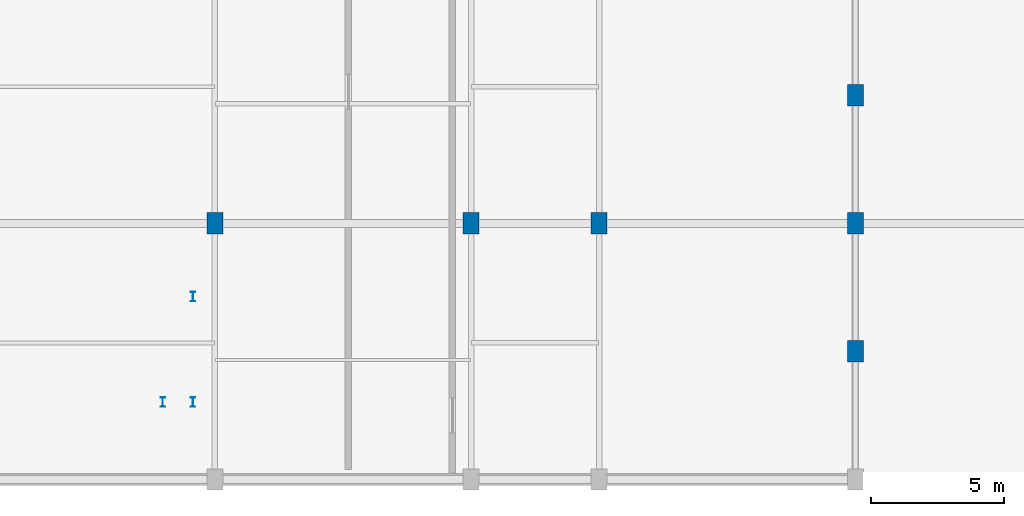
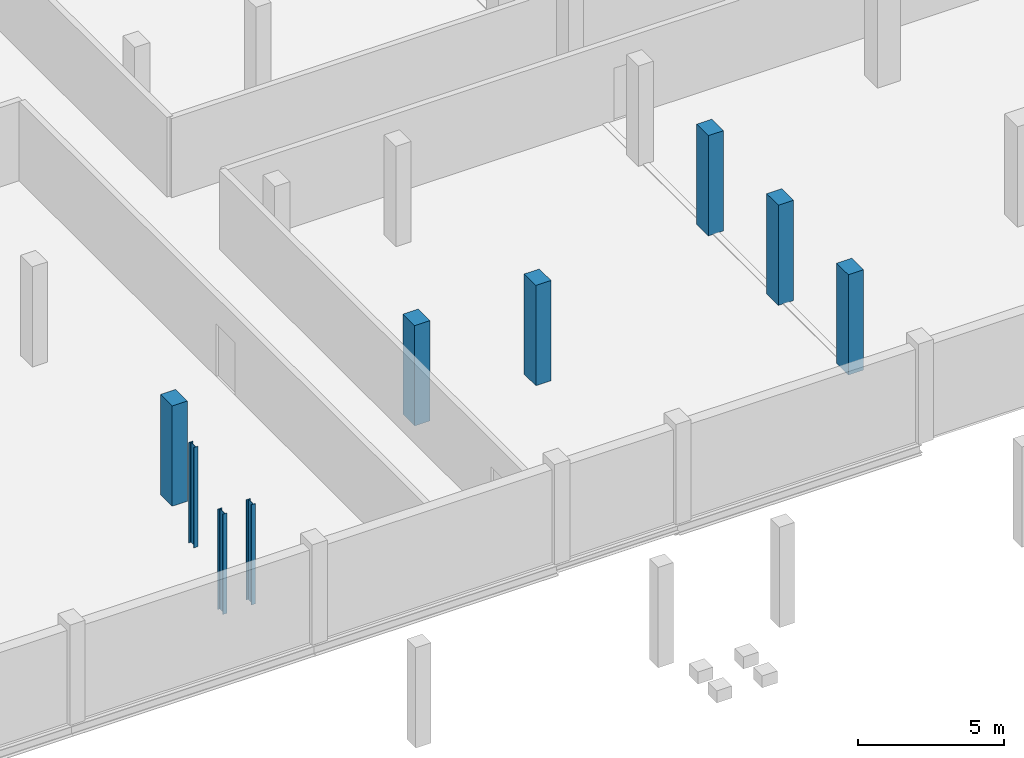
# One storey, part 6 of 47: 9 columns.
"""IFC4 building model written with IfcOpenShell, lengths in metres."""

from ifc_helpers import new_model, si_unit, direction, frame, origin, origin_2d, place, context, subcontext, project, spatial, rectangle, i_section, extrude, material, material_profile, profile_set, type_object, element, save


model = new_model("IFC4")

# Units and contexts
model_context = context("Model", 3, precision=1e-05, world=origin(), true_north=direction((0.0, 1.0)))
body_context = subcontext(model_context, "Body", "Model", "MODEL_VIEW")
ifc_project = project(units=[si_unit("LENGTHUNIT", "METRE"), si_unit("AREAUNIT", "SQUARE_METRE"), si_unit("VOLUMEUNIT", "CUBIC_METRE"), si_unit("PLANEANGLEUNIT", "RADIAN"), si_unit("MASSUNIT", "GRAM", prefix="KILO")], contexts=[model_context])

# Site, building, storey
site_placement = place(None, origin())
site = spatial("IfcSite", under=ifc_project, at=site_placement, CompositionType="ELEMENT")
building_placement = place(site_placement, origin())
building = spatial("IfcBuilding", under=site, at=building_placement, Name="Zevrakil Square Congress Hotel", CompositionType="ELEMENT")
storey_placement = place(building_placement, frame((0.0, 0.0, -4.199951171875)))
storey = spatial("IfcBuildingStorey", under=building, at=storey_placement, Name="B1", CompositionType="ELEMENT", Elevation=-4.199951171875)

# Columns
ifc_material_1 = material(Name="Steel S355", Category="steel")
ifc_material_profile_1 = material_profile(ifc_material_1, i_section(OverallWidth=0.169921875, OverallDepth=0.360107421875, WebThickness=0.008056640625, FlangeThickness=0.0126953125, FilletRadius=0.01806640625, at=origin_2d()), Name="IPE 360")
ifc_profile_set_1 = profile_set([ifc_material_profile_1], Name="Steel S355")
column_type_1 = type_object("IfcColumnType", Name="COL-PILASTER-SHS180", PredefinedType="PILASTER", material=ifc_profile_set_1)
for number, where, z_axis, x_axis, name in (
    (1, (91.64990234375, 10.10009765625, 0.0), (0.0, 0.0, 1.0), (1.0, 0.0, 0.0), "B1 ST15 stair shaft post 1"),
    (2, (92.780029296875, 10.10009765625, 0.0), (0.0, 0.0, 1.0), (1.0, 0.0, 0.0), "B1 ST15 stair shaft post 2"),
    (3, (92.780029296875, 14.050048828125, 0.0), (0.0, 0.0, 1.0), (1.0, 0.0, 0.0), "B1 ST15 stair shaft post 3"),
):
    element("IfcColumn", number, at=place(storey_placement, frame(where, z_axis=z_axis, x_axis=x_axis)), inside=storey, type_object=column_type_1, Name=name, PredefinedType="PILASTER", context=body_context, shape_type="SweptSolid", body=[
        extrude(i_section(OverallWidth=0.169921875, OverallDepth=0.360107421875, WebThickness=0.008056640625, FlangeThickness=0.0126953125, FilletRadius=0.01806640625, at=origin_2d()), origin(), (0.0, 0.0, 1.0), 4.199951171875),
    ])
ifc_material_2 = material(Name="Concrete C40/50", Category="concrete")
ifc_material_profile_2 = material_profile(ifc_material_2, rectangle(XDim=0.60009765625, YDim=0.800048828125, at=origin_2d()), Name="RC 600x800")
ifc_profile_set_2 = profile_set([ifc_material_profile_2], Name="Concrete C40/50")
column_type_2 = type_object("IfcColumnType", Name="COL-RC600x800", PredefinedType="COLUMN", material=ifc_profile_set_2)
for number, where, z_axis, x_axis, name in (
    (4, (93.60009765625, 16.800048828125, 0.0), (0.0, 0.0, 1.0), (1.0, 0.0, 0.0), "B1 column C-139"),
    (5, (103.199951171875, 16.800048828125, 0.0), (0.0, 0.0, 1.0), (1.0, 0.0, 0.0), "B1 column C-151"),
    (6, (108.0, 16.800048828125, 0.0), (0.0, 0.0, 1.0), (1.0, 0.0, 0.0), "B1 column C-165"),
    (7, (117.60009765625, 12.0, 0.0), (0.0, 0.0, 1.0), (1.0, 0.0, 0.0), "B1 column C-179"),
    (8, (117.60009765625, 16.800048828125, 0.0), (0.0, 0.0, 1.0), (1.0, 0.0, 0.0), "B1 column C-180"),
    (9, (117.60009765625, 21.60009765625, 0.0), (0.0, 0.0, 1.0), (1.0, 0.0, 0.0), "B1 column C-181"),
):
    element("IfcColumn", number, at=place(storey_placement, frame(where, z_axis=z_axis, x_axis=x_axis)), inside=storey, type_object=column_type_2, Name=name, PredefinedType="COLUMN", context=body_context, shape_type="SweptSolid", body=[
        extrude(rectangle(XDim=0.60009765625, YDim=0.800048828125, at=origin_2d()), origin(), (0.0, 0.0, 1.0), 4.199951171875),
    ])

save(model, "model.ifc")
